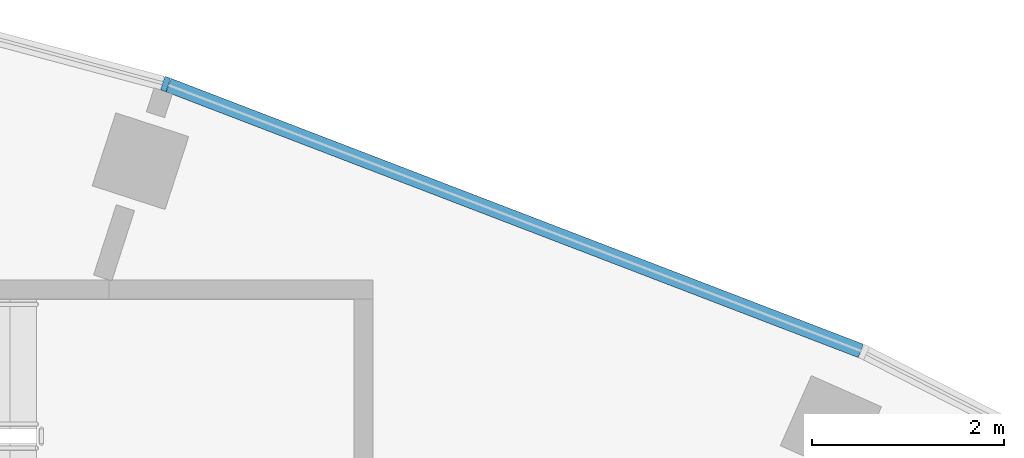
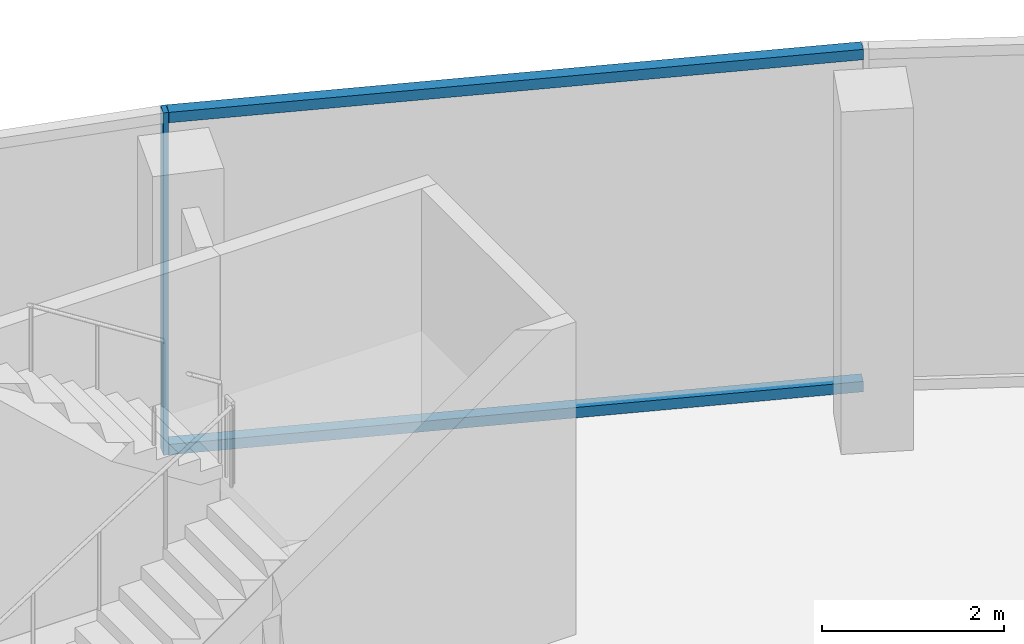
# One storey, part 11 of 40: 3 members, 1 element without a shape of its own.
"""IFC4 building model written with IfcOpenShell, lengths in metres."""

from ifc_helpers import new_model, si_unit, direction, frame, origin, origin_2d, place, context, subcontext, project, spatial, rectangle, extrude, material, layer, layer_set, material_profile, profile_set, type_object, element, aggregate, save


model = new_model("IFC4")

# Units and contexts
model_context = context("Model", 3, precision=1e-05, world=origin(), true_north=direction((0.0, 1.0)))
body_context = subcontext(model_context, "Body", "Model", "MODEL_VIEW")
ifc_project = project(units=[si_unit("LENGTHUNIT", "METRE"), si_unit("AREAUNIT", "SQUARE_METRE"), si_unit("VOLUMEUNIT", "CUBIC_METRE"), si_unit("PLANEANGLEUNIT", "RADIAN"), si_unit("MASSUNIT", "GRAM", prefix="KILO")], contexts=[model_context])

# Site, building, storey
site_placement = place(None, origin())
site = spatial("IfcSite", under=ifc_project, at=site_placement, CompositionType="ELEMENT")
building_placement = place(site_placement, origin())
building = spatial("IfcBuilding", under=site, at=building_placement, Name="Stone Belt Terrace Tower", CompositionType="ELEMENT")
storey_placement = place(building_placement, frame((0.0, 0.0, 7.0)))
storey = spatial("IfcBuildingStorey", under=building, at=storey_placement, Name="L01", CompositionType="ELEMENT", Elevation=7.0)

# Curtain wall, members
ifc_material = material(Name="Aluminium 6063-T6 anodised frame", Category="aluminium")
ifc_layer = layer(ifc_material, 0.14990234375)
ifc_layer_set = layer_set([ifc_layer], Name="CW-D podium shopfront")
curtain_wall_type = type_object("IfcCurtainWallType", Name="CW-D podium shopfront", PredefinedType="NOTDEFINED", material=ifc_layer_set)
curtain_wall_placement = place(storey_placement, origin())
curtain_wall = element("IfcCurtainWall", 1, at=curtain_wall_placement, inside=storey, type_object=curtain_wall_type, Name="CW-D convex face L01", PredefinedType="NOTDEFINED")
ifc_material_profile_1 = material_profile(ifc_material, rectangle(XDim=0.14990234375, YDim=0.06005859375, at=origin_2d()), Name="Aluminium 6063-T6 60x150")
ifc_profile_set_1 = profile_set([ifc_material_profile_1], Name="Aluminium 6063-T6 anodised frame")
member_type_1 = type_object("IfcMemberType", Name="CW-D mullion 60 x 150", PredefinedType="MULLION", material=ifc_profile_set_1)
member_1_placement = place(storey_placement, frame((23.044921875, 70.925048828125, 0.0), z_axis=(0.0, 0.0, 1.0), x_axis=(-0.309016994375, -0.951056516295, 0.0)))
member_1 = element("IfcMember", 2, at=member_1_placement, type_object=member_type_1, Name="CW-D mullion 10", PredefinedType="MULLION", context=body_context, shape_type="SweptSolid", body=[
    extrude(rectangle(XDim=0.14990234375, YDim=0.06005859375, at=origin_2d()), origin(), (0.0, 0.0, 1.0), 4.60009765625),
])
ifc_material_profile_2 = material_profile(ifc_material, rectangle(XDim=0.14990234375, YDim=0.139892578125, at=origin_2d()), Name="Aluminium 6063-T6 150x140")
ifc_profile_set_2 = profile_set([ifc_material_profile_2], Name="Aluminium 6063-T6 anodised frame")
member_type_2 = type_object("IfcMemberType", Name="CW-D transom 140 x 150", PredefinedType="USERDEFINED", material=ifc_profile_set_2)
member_2_placement = place(storey_placement, frame((30.30078125, 68.139892578125, 0.070068359375), z_axis=(-0.933575536994, 0.358380686878, 0.0), x_axis=(-0.358380686878, -0.933575536994, 0.0)))
member_2 = element("IfcMember", 3, at=member_2_placement, type_object=member_type_2, Name="CW-D transom 9.1", ObjectType="TRANSOM", PredefinedType="USERDEFINED", context=body_context, shape_type="SweptSolid", body=[
    extrude(rectangle(XDim=0.14990234375, YDim=0.139892578125, at=origin_2d()), origin(), (0.0, 0.0, 1.0), 7.738037109375),
])
member_3_placement = place(storey_placement, frame((30.30078125, 68.139892578125, 4.530029296875), z_axis=(-0.933575536994, 0.358380686878, 0.0), x_axis=(-0.358380686878, -0.933575536994, 0.0)))
member_3 = element("IfcMember", 4, at=member_3_placement, type_object=member_type_2, Name="CW-D transom 9.2", ObjectType="TRANSOM", PredefinedType="USERDEFINED", context=body_context, shape_type="SweptSolid", body=[
    extrude(rectangle(XDim=0.14990234375, YDim=0.139892578125, at=origin_2d()), origin(), (0.0, 0.0, 1.0), 7.738037109375),
])
aggregate(curtain_wall, [member_1, member_2, member_3])

save(model, "model.ifc")
